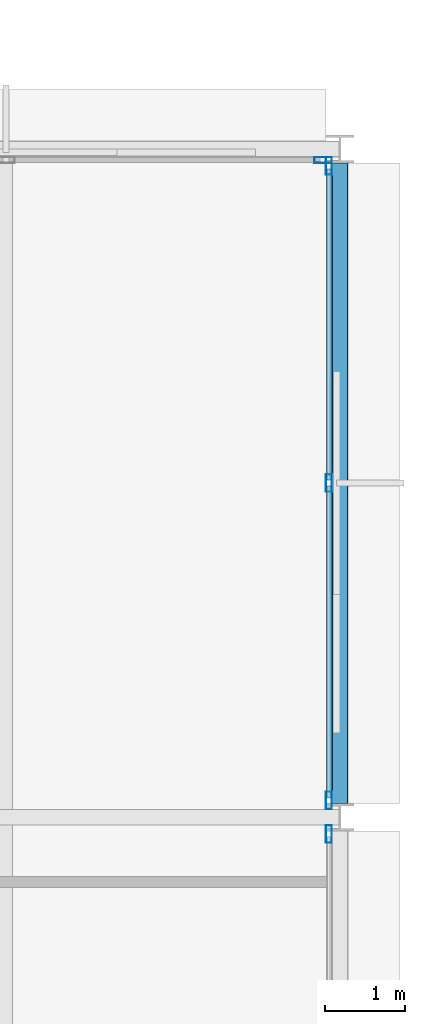
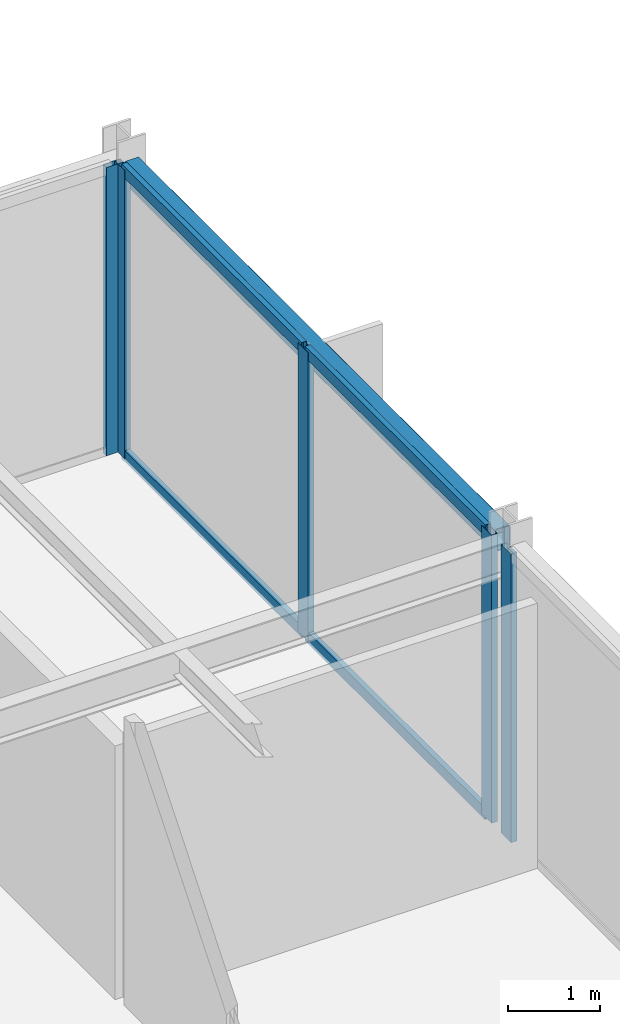
# One storey, part 11 of 21: 9 members, 1 beam, 3 elements without a shape of their own.
"""IFC4 building model written with IfcOpenShell, lengths in metres."""

from ifc_helpers import new_model, si_unit, direction, frame, origin, origin_2d, place, context, subcontext, project, spatial, hollow_rectangle, extrude, material, layer, layer_set, material_profile, profile_set, type_object, element, aggregate, save


model = new_model("IFC4")

# Units and contexts
model_context = context("Model", 3, precision=1e-05, world=origin(), true_north=direction((0.0, 1.0)))
body_context = subcontext(model_context, "Body", "Model", "MODEL_VIEW")
ifc_project = project(units=[si_unit("LENGTHUNIT", "METRE"), si_unit("AREAUNIT", "SQUARE_METRE"), si_unit("VOLUMEUNIT", "CUBIC_METRE"), si_unit("PLANEANGLEUNIT", "RADIAN"), si_unit("MASSUNIT", "GRAM", prefix="KILO")], contexts=[model_context])

# Site, building, storey
site_placement = place(None, origin())
site = spatial("IfcSite", under=ifc_project, at=site_placement, CompositionType="ELEMENT")
building_placement = place(site_placement, origin())
building = spatial("IfcBuilding", under=site, at=building_placement, Name="Nerrivon Quay Data Exchange", CompositionType="ELEMENT")
storey_placement = place(building_placement, frame((0.0, 0.0, 220.60009765625)))
storey = spatial("IfcBuildingStorey", under=building, at=storey_placement, Name="L52", CompositionType="ELEMENT", Elevation=220.60009765625)

# Beam
ifc_material_1 = material(Name="Steel Grade C350L0 (350 MPa)", Category="steel")
ifc_material_profile_1 = material_profile(ifc_material_1, hollow_rectangle(XDim=0.199951171875, YDim=0.300048828125, WallThickness=0.012451171875, InnerFilletRadius=0.018798828125, OuterFilletRadius=0.03125, at=origin_2d()), Name="300x200x12.5RHS")
ifc_profile_set_1 = profile_set([ifc_material_profile_1], Name="Steel Grade C350L0 (350 MPa)")
beam_type = type_object("IfcBeamType", Name="BM-SP3-300x200RHS", PredefinedType="SPANDREL", material=ifc_profile_set_1)
beam_placement = place(storey_placement, frame((42.0, 16.97509765625, 3.6748046875), z_axis=(0.0, 1.0, 0.0), x_axis=(-1.0, 0.0, 0.0)))
element("IfcBeam", 1, at=beam_placement, inside=storey, type_object=beam_type, Name="L52 NS Girder X=42.0 (16.8..25.2)", PredefinedType="SPANDREL", context=body_context, shape_type="SweptSolid", body=[
    extrude(hollow_rectangle(XDim=0.199951171875, YDim=0.300048828125, WallThickness=0.012451171875, InnerFilletRadius=0.018798828125, OuterFilletRadius=0.03125, at=origin_2d()), origin(), (0.0, 0.0, 1.0), 8.0498046875),
])

# Curtain wall, member
ifc_material_2 = material(Name="Anodised aluminium 6063-T6", Category="aluminium")
ifc_layer = layer(ifc_material_2, 0.22998046875)
ifc_layer_set = layer_set([ifc_layer], Name="Anodised aluminium 6063-T6")
curtain_wall_type = type_object("IfcCurtainWallType", Name="CW-SYS-05", PredefinedType="NOTDEFINED", material=ifc_layer_set)
curtain_wall_1_placement = place(storey_placement, origin())
curtain_wall_1 = element("IfcCurtainWall", 2, at=curtain_wall_1_placement, inside=storey, type_object=curtain_wall_type, Name="L52 Unitised Curtain Wall 25", PredefinedType="NOTDEFINED")
ifc_material_profile_2 = material_profile(ifc_material_2, hollow_rectangle(XDim=0.074951171875, YDim=0.219970703125, WallThickness=0.00390625, at=origin_2d()), Name="ALU-MULL-220x75")
ifc_profile_set_2 = profile_set([ifc_material_profile_2], Name="Anodised aluminium 6063-T6")
member_type_1 = type_object("IfcMemberType", Name="CWM-220x75", PredefinedType="MULLION", material=ifc_profile_set_2)
member_1_placement = place(storey_placement, frame((41.78759765625, 25.06005859375, 0.0), z_axis=(0.0, 0.0, 1.0), x_axis=(0.0, 1.0, 0.0)))
member_1 = element("IfcMember", 3, at=member_1_placement, type_object=member_type_1, Name="CW05 mullion 3", PredefinedType="MULLION", context=body_context, shape_type="SweptSolid", body=[
    extrude(hollow_rectangle(XDim=0.074951171875, YDim=0.219970703125, WallThickness=0.00390625, at=origin_2d()), origin(), (0.0, 0.0, 1.0), 3.824951171875),
])
aggregate(curtain_wall_1, [member_1])

# Curtain wall, members
curtain_wall_2_placement = place(storey_placement, origin())
curtain_wall_2 = element("IfcCurtainWall", 4, at=curtain_wall_2_placement, inside=storey, type_object=curtain_wall_type, Name="L52 Unitised Curtain Wall 26", PredefinedType="NOTDEFINED")
member_2_placement = place(storey_placement, frame((41.860107421875, 24.987548828125, 0.0), z_axis=(0.0, 0.0, 1.0), x_axis=(1.0, 0.0, 0.0)))
member_2 = element("IfcMember", 5, at=member_2_placement, type_object=member_type_1, Name="CW05 mullion 1", PredefinedType="MULLION", context=body_context, shape_type="SweptSolid", body=[
    extrude(hollow_rectangle(XDim=0.074951171875, YDim=0.219970703125, WallThickness=0.00390625, at=origin_2d()), origin(), (0.0, 0.0, 1.0), 3.824951171875),
])
member_3_placement = place(storey_placement, frame((41.860107421875, 21.0, 0.0), z_axis=(0.0, 0.0, 1.0), x_axis=(1.0, 0.0, 0.0)))
member_3 = element("IfcMember", 6, at=member_3_placement, type_object=member_type_1, Name="CW05 mullion 2", PredefinedType="MULLION", context=body_context, shape_type="SweptSolid", body=[
    extrude(hollow_rectangle(XDim=0.074951171875, YDim=0.219970703125, WallThickness=0.00390625, at=origin_2d()), origin(), (0.0, 0.0, 1.0), 3.824951171875),
])
member_4_placement = place(storey_placement, frame((41.860107421875, 17.012451171875, 0.0), z_axis=(0.0, 0.0, 1.0), x_axis=(1.0, 0.0, 0.0)))
member_4 = element("IfcMember", 7, at=member_4_placement, type_object=member_type_1, Name="CW05 mullion 3", PredefinedType="MULLION", context=body_context, shape_type="SweptSolid", body=[
    extrude(hollow_rectangle(XDim=0.074951171875, YDim=0.219970703125, WallThickness=0.00390625, at=origin_2d()), origin(), (0.0, 0.0, 1.0), 3.824951171875),
])

# Curtain wall, member
curtain_wall_3_placement = place(storey_placement, origin())
curtain_wall_3 = element("IfcCurtainWall", 8, at=curtain_wall_3_placement, inside=storey, type_object=curtain_wall_type, Name="L52 Unitised Curtain Wall 27", PredefinedType="NOTDEFINED")
member_5_placement = place(storey_placement, frame((41.860107421875, 16.58740234375, 0.0), z_axis=(0.0, 0.0, 1.0), x_axis=(1.0, 0.0, 0.0)))
member_5 = element("IfcMember", 9, at=member_5_placement, type_object=member_type_1, Name="CW05 mullion 1", PredefinedType="MULLION", context=body_context, shape_type="SweptSolid", body=[
    extrude(hollow_rectangle(XDim=0.074951171875, YDim=0.219970703125, WallThickness=0.00390625, at=origin_2d()), origin(), (0.0, 0.0, 1.0), 3.824951171875),
])
aggregate(curtain_wall_3, [member_5])

# Member
ifc_material_profile_3 = material_profile(ifc_material_2, hollow_rectangle(XDim=0.06494140625, YDim=0.14990234375, WallThickness=0.00341796875, at=origin_2d()), Name="ALU-TRAN-150x65")
ifc_profile_set_3 = profile_set([ifc_material_profile_3], Name="Anodised aluminium 6063-T6")
member_type_2 = type_object("IfcMemberType", Name="CWT-150x65", PredefinedType="USERDEFINED", material=ifc_profile_set_3)
member_6_placement = place(storey_placement, frame((41.860107421875, 24.949951171875, 0.032470703125), z_axis=(0.0, -1.0, 0.0), x_axis=(1.0, 0.0, 0.0)))
member_6 = element("IfcMember", 10, at=member_6_placement, type_object=member_type_2, Name="CW05 transom 1.1", ObjectType="TRANSOM", PredefinedType="USERDEFINED", context=body_context, shape_type="SweptSolid", body=[
    extrude(hollow_rectangle(XDim=0.06494140625, YDim=0.14990234375, WallThickness=0.00341796875, at=origin_2d()), origin(), (0.0, 0.0, 1.0), 3.912353515625),
])

member_7_placement = place(storey_placement, frame((41.860107421875, 24.949951171875, 3.79248046875), z_axis=(0.0, -1.0, 0.0), x_axis=(1.0, 0.0, 0.0)))
member_7 = element("IfcMember", 11, at=member_7_placement, type_object=member_type_2, Name="CW05 transom 1.2", ObjectType="TRANSOM", PredefinedType="USERDEFINED", context=body_context, shape_type="SweptSolid", body=[
    extrude(hollow_rectangle(XDim=0.06494140625, YDim=0.14990234375, WallThickness=0.00341796875, at=origin_2d()), origin(), (0.0, 0.0, 1.0), 3.912353515625),
])

member_8_placement = place(storey_placement, frame((41.860107421875, 20.96240234375, 0.032470703125), z_axis=(0.0, -1.0, 0.0), x_axis=(1.0, 0.0, 0.0)))
member_8 = element("IfcMember", 12, at=member_8_placement, type_object=member_type_2, Name="CW05 transom 2.1", ObjectType="TRANSOM", PredefinedType="USERDEFINED", context=body_context, shape_type="SweptSolid", body=[
    extrude(hollow_rectangle(XDim=0.06494140625, YDim=0.14990234375, WallThickness=0.00341796875, at=origin_2d()), origin(), (0.0, 0.0, 1.0), 3.912353515625),
])

member_9_placement = place(storey_placement, frame((41.860107421875, 20.96240234375, 3.79248046875), z_axis=(0.0, -1.0, 0.0), x_axis=(1.0, 0.0, 0.0)))
member_9 = element("IfcMember", 13, at=member_9_placement, type_object=member_type_2, Name="CW05 transom 2.2", ObjectType="TRANSOM", PredefinedType="USERDEFINED", context=body_context, shape_type="SweptSolid", body=[
    extrude(hollow_rectangle(XDim=0.06494140625, YDim=0.14990234375, WallThickness=0.00341796875, at=origin_2d()), origin(), (0.0, 0.0, 1.0), 3.912353515625),
])

aggregate(curtain_wall_2, [member_2, member_3, member_4, member_6, member_7, member_8, member_9])

save(model, "model.ifc")
